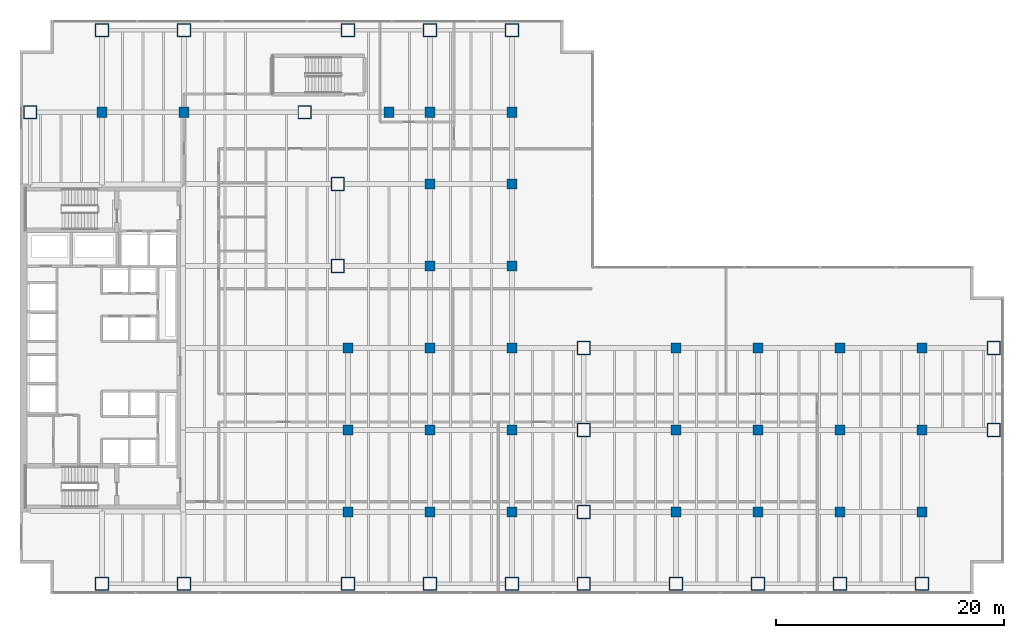
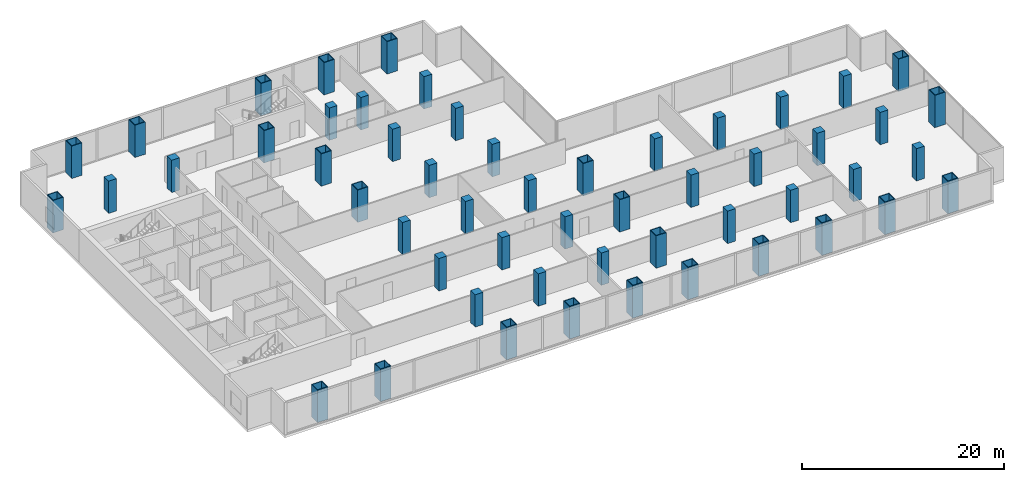
# One storey, part 1 of 29: 54 columns.
"""IFC4 building model written with IfcOpenShell, lengths in metres."""

from ifc_helpers import new_model, si_unit, direction, frame, origin, origin_2d, place, context, subcontext, project, spatial, rectangle, hollow_rectangle, extrude, material, material_profile, profile_set, type_object, element, save


model = new_model("IFC4")

# Units and contexts
model_context = context("Model", 3, precision=1e-05, world=origin(), true_north=direction((0.0, 1.0)))
body_context = subcontext(model_context, "Body", "Model", "MODEL_VIEW")
ifc_project = project(units=[si_unit("LENGTHUNIT", "METRE"), si_unit("AREAUNIT", "SQUARE_METRE"), si_unit("VOLUMEUNIT", "CUBIC_METRE"), si_unit("PLANEANGLEUNIT", "RADIAN"), si_unit("MASSUNIT", "GRAM", prefix="KILO")], contexts=[model_context])

# Site, building, storey
site_placement = place(None, origin())
site = spatial("IfcSite", under=ifc_project, at=site_placement, CompositionType="ELEMENT")
building_placement = place(site_placement, origin())
building = spatial("IfcBuilding", under=site, at=building_placement, Name="Cobrela Telecom Tower", CompositionType="ELEMENT")
storey_placement = place(building_placement, frame((0.0, 0.0, 13.64990234375)))
storey = spatial("IfcBuildingStorey", under=building, at=storey_placement, Name="L03", CompositionType="ELEMENT", Elevation=13.64990234375)

# Columns
ifc_material_1 = material(Name="Concrete C40/50", Category="concrete")
ifc_material_profile_1 = material_profile(ifc_material_1, rectangle(XDim=0.89990234375, YDim=0.89990234375, at=origin_2d()), Name="RC 900x900")
ifc_profile_set_1 = profile_set([ifc_material_profile_1], Name="Concrete C40/50")
column_type_1 = type_object("IfcColumnType", Name="COL-INT-02", PredefinedType="COLUMN", material=ifc_profile_set_1)
for number, where, z_axis, x_axis, name in (
    (1, (7.199951171875, 42.300048828125, 0.0), (0.0, 0.0, 1.0), (1.0, 0.0, 0.0), "L03 Interior Column 03"),
    (2, (14.39990234375, 42.300048828125, 0.0), (0.0, 0.0, 1.0), (1.0, 0.0, 0.0), "L03 Interior Column 06"),
    (3, (28.800048828125, 7.199951171875, 0.0), (0.0, 0.0, 1.0), (1.0, 0.0, 0.0), "L03 Interior Column 12"),
    (4, (28.800048828125, 14.39990234375, 0.0), (0.0, 0.0, 1.0), (1.0, 0.0, 0.0), "L03 Interior Column 13"),
    (5, (28.800048828125, 21.60009765625, 0.0), (0.0, 0.0, 1.0), (1.0, 0.0, 0.0), "L03 Interior Column 14"),
    (6, (32.39990234375, 42.300048828125, 0.0), (0.0, 0.0, 1.0), (1.0, 0.0, 0.0), "L03 Interior Column 16"),
    (7, (36.0, 7.199951171875, 0.0), (0.0, 0.0, 1.0), (1.0, 0.0, 0.0), "L03 Interior Column 18"),
    (8, (36.0, 14.39990234375, 0.0), (0.0, 0.0, 1.0), (1.0, 0.0, 0.0), "L03 Interior Column 19"),
    (9, (36.0, 21.60009765625, 0.0), (0.0, 0.0, 1.0), (1.0, 0.0, 0.0), "L03 Interior Column 20"),
    (10, (36.0, 28.800048828125, 0.0), (0.0, 0.0, 1.0), (1.0, 0.0, 0.0), "L03 Interior Column 21"),
    (11, (36.0, 36.0, 0.0), (0.0, 0.0, 1.0), (1.0, 0.0, 0.0), "L03 Interior Column 22"),
    (12, (36.0, 42.300048828125, 0.0), (0.0, 0.0, 1.0), (1.0, 0.0, 0.0), "L03 Interior Column 23"),
    (13, (43.199951171875, 7.199951171875, 0.0), (0.0, 0.0, 1.0), (1.0, 0.0, 0.0), "L03 Interior Column 26"),
    (14, (43.199951171875, 14.39990234375, 0.0), (0.0, 0.0, 1.0), (1.0, 0.0, 0.0), "L03 Interior Column 27"),
    (15, (43.199951171875, 21.60009765625, 0.0), (0.0, 0.0, 1.0), (1.0, 0.0, 0.0), "L03 Interior Column 28"),
    (16, (43.199951171875, 28.800048828125, 0.0), (0.0, 0.0, 1.0), (1.0, 0.0, 0.0), "L03 Interior Column 29"),
    (17, (43.199951171875, 36.0, 0.0), (0.0, 0.0, 1.0), (1.0, 0.0, 0.0), "L03 Interior Column 30"),
    (18, (43.199951171875, 42.300048828125, 0.0), (0.0, 0.0, 1.0), (1.0, 0.0, 0.0), "L03 Interior Column 31"),
    (19, (57.60009765625, 7.199951171875, 0.0), (0.0, 0.0, 1.0), (1.0, 0.0, 0.0), "L03 Interior Column 38"),
    (20, (57.60009765625, 14.39990234375, 0.0), (0.0, 0.0, 1.0), (1.0, 0.0, 0.0), "L03 Interior Column 39"),
    (21, (57.60009765625, 21.60009765625, 0.0), (0.0, 0.0, 1.0), (1.0, 0.0, 0.0), "L03 Interior Column 40"),
    (22, (64.800048828125, 7.199951171875, 0.0), (0.0, 0.0, 1.0), (1.0, 0.0, 0.0), "L03 Interior Column 42"),
    (23, (64.800048828125, 14.39990234375, 0.0), (0.0, 0.0, 1.0), (1.0, 0.0, 0.0), "L03 Interior Column 43"),
    (24, (64.800048828125, 21.60009765625, 0.0), (0.0, 0.0, 1.0), (1.0, 0.0, 0.0), "L03 Interior Column 44"),
    (25, (72.0, 7.199951171875, 0.0), (0.0, 0.0, 1.0), (1.0, 0.0, 0.0), "L03 Interior Column 46"),
    (26, (72.0, 14.39990234375, 0.0), (0.0, 0.0, 1.0), (1.0, 0.0, 0.0), "L03 Interior Column 47"),
    (27, (72.0, 21.60009765625, 0.0), (0.0, 0.0, 1.0), (1.0, 0.0, 0.0), "L03 Interior Column 48"),
    (28, (79.199951171875, 7.199951171875, 0.0), (0.0, 0.0, 1.0), (1.0, 0.0, 0.0), "L03 Interior Column 50"),
    (29, (79.199951171875, 14.39990234375, 0.0), (0.0, 0.0, 1.0), (1.0, 0.0, 0.0), "L03 Interior Column 51"),
    (30, (79.199951171875, 21.60009765625, 0.0), (0.0, 0.0, 1.0), (1.0, 0.0, 0.0), "L03 Interior Column 52"),
):
    element("IfcColumn", number, at=place(storey_placement, frame(where, z_axis=z_axis, x_axis=x_axis)), inside=storey, type_object=column_type_1, Name=name, PredefinedType="COLUMN", context=body_context, shape_type="SweptSolid", body=[
        extrude(rectangle(XDim=0.89990234375, YDim=0.89990234375, at=origin_2d()), origin(), (0.0, 0.0, 1.0), 3.91015625),
    ])
ifc_material_2 = material(Name="Steel ASTM A572 Grade 50", Category="steel")
ifc_material_profile_2 = material_profile(ifc_material_2, hollow_rectangle(XDim=1.199951171875, YDim=1.199951171875, WallThickness=0.074951171875, at=origin_2d()), Name="BOX 1200x1200x75")
ifc_profile_set_2 = profile_set([ifc_material_profile_2], Name="Steel ASTM A572 Grade 50")
column_type_2 = type_object("IfcColumnType", Name="COL-MEGA-01", PredefinedType="COLUMN", material=ifc_profile_set_2)
for number, where, z_axis, x_axis, name in (
    (31, (0.89990234375, 42.300048828125, 0.0), (0.0, 0.0, 1.0), (1.0, 0.0, 0.0), "L03 Perimeter Mega-Column 01"),
    (32, (7.199951171875, 0.89990234375, 0.0), (0.0, 0.0, 1.0), (1.0, 0.0, 0.0), "L03 Perimeter Mega-Column 02"),
    (33, (7.199951171875, 49.5, 0.0), (0.0, 0.0, 1.0), (1.0, 0.0, 0.0), "L03 Perimeter Mega-Column 04"),
    (34, (14.39990234375, 0.89990234375, 0.0), (0.0, 0.0, 1.0), (1.0, 0.0, 0.0), "L03 Perimeter Mega-Column 05"),
    (35, (14.39990234375, 49.5, 0.0), (0.0, 0.0, 1.0), (1.0, 0.0, 0.0), "L03 Perimeter Mega-Column 07"),
    (36, (25.0, 42.300048828125, 0.0), (0.0, 0.0, 1.0), (1.0, 0.0, 0.0), "L03 Perimeter Mega-Column 08"),
    (37, (27.89990234375, 28.800048828125, 0.0), (0.0, 0.0, 1.0), (1.0, 0.0, 0.0), "L03 Perimeter Mega-Column 09"),
    (38, (27.89990234375, 36.0, 0.0), (0.0, 0.0, 1.0), (1.0, 0.0, 0.0), "L03 Perimeter Mega-Column 10"),
    (39, (28.800048828125, 0.89990234375, 0.0), (0.0, 0.0, 1.0), (1.0, 0.0, 0.0), "L03 Perimeter Mega-Column 11"),
    (40, (28.800048828125, 49.5, 0.0), (0.0, 0.0, 1.0), (1.0, 0.0, 0.0), "L03 Perimeter Mega-Column 15"),
    (41, (36.0, 0.89990234375, 0.0), (0.0, 0.0, 1.0), (1.0, 0.0, 0.0), "L03 Perimeter Mega-Column 17"),
    (42, (36.0, 49.5, 0.0), (0.0, 0.0, 1.0), (1.0, 0.0, 0.0), "L03 Perimeter Mega-Column 24"),
    (43, (43.199951171875, 0.89990234375, 0.0), (0.0, 0.0, 1.0), (1.0, 0.0, 0.0), "L03 Perimeter Mega-Column 25"),
    (44, (43.199951171875, 49.5, 0.0), (0.0, 0.0, 1.0), (1.0, 0.0, 0.0), "L03 Perimeter Mega-Column 32"),
    (45, (49.5, 0.89990234375, 0.0), (0.0, 0.0, 1.0), (1.0, 0.0, 0.0), "L03 Perimeter Mega-Column 33"),
    (46, (49.5, 7.199951171875, 0.0), (0.0, 0.0, 1.0), (1.0, 0.0, 0.0), "L03 Perimeter Mega-Column 34"),
    (47, (49.5, 14.39990234375, 0.0), (0.0, 0.0, 1.0), (1.0, 0.0, 0.0), "L03 Perimeter Mega-Column 35"),
    (48, (49.5, 21.60009765625, 0.0), (0.0, 0.0, 1.0), (1.0, 0.0, 0.0), "L03 Perimeter Mega-Column 36"),
    (49, (57.60009765625, 0.89990234375, 0.0), (0.0, 0.0, 1.0), (1.0, 0.0, 0.0), "L03 Perimeter Mega-Column 37"),
    (50, (64.800048828125, 0.89990234375, 0.0), (0.0, 0.0, 1.0), (1.0, 0.0, 0.0), "L03 Perimeter Mega-Column 41"),
    (51, (72.0, 0.89990234375, 0.0), (0.0, 0.0, 1.0), (1.0, 0.0, 0.0), "L03 Perimeter Mega-Column 45"),
    (52, (79.199951171875, 0.89990234375, 0.0), (0.0, 0.0, 1.0), (1.0, 0.0, 0.0), "L03 Perimeter Mega-Column 49"),
    (53, (85.5, 14.39990234375, 0.0), (0.0, 0.0, 1.0), (1.0, 0.0, 0.0), "L03 Perimeter Mega-Column 53"),
    (54, (85.5, 21.60009765625, 0.0), (0.0, 0.0, 1.0), (1.0, 0.0, 0.0), "L03 Perimeter Mega-Column 54"),
):
    element("IfcColumn", number, at=place(storey_placement, frame(where, z_axis=z_axis, x_axis=x_axis)), inside=storey, type_object=column_type_2, Name=name, PredefinedType="COLUMN", context=body_context, shape_type="SweptSolid", body=[
        extrude(hollow_rectangle(XDim=1.199951171875, YDim=1.199951171875, WallThickness=0.074951171875, at=origin_2d()), origin(), (0.0, 0.0, 1.0), 3.91015625),
    ])

save(model, "model.ifc")
